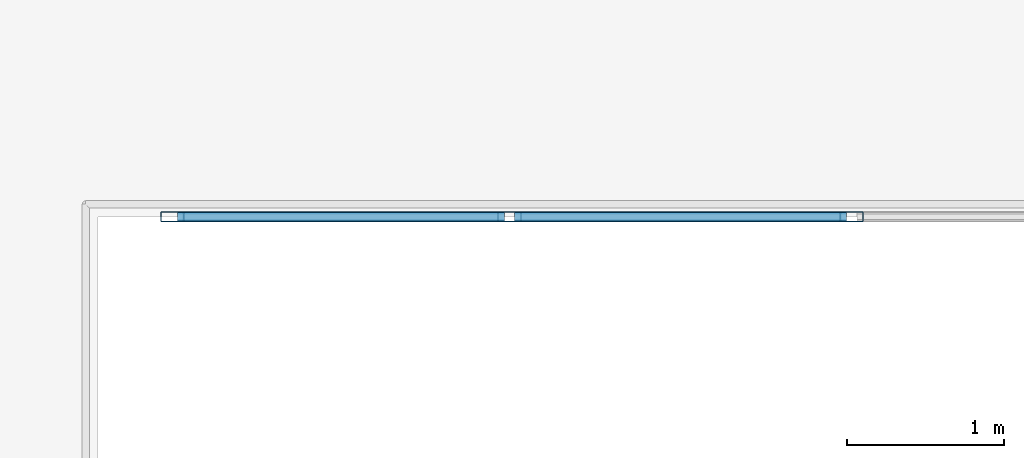
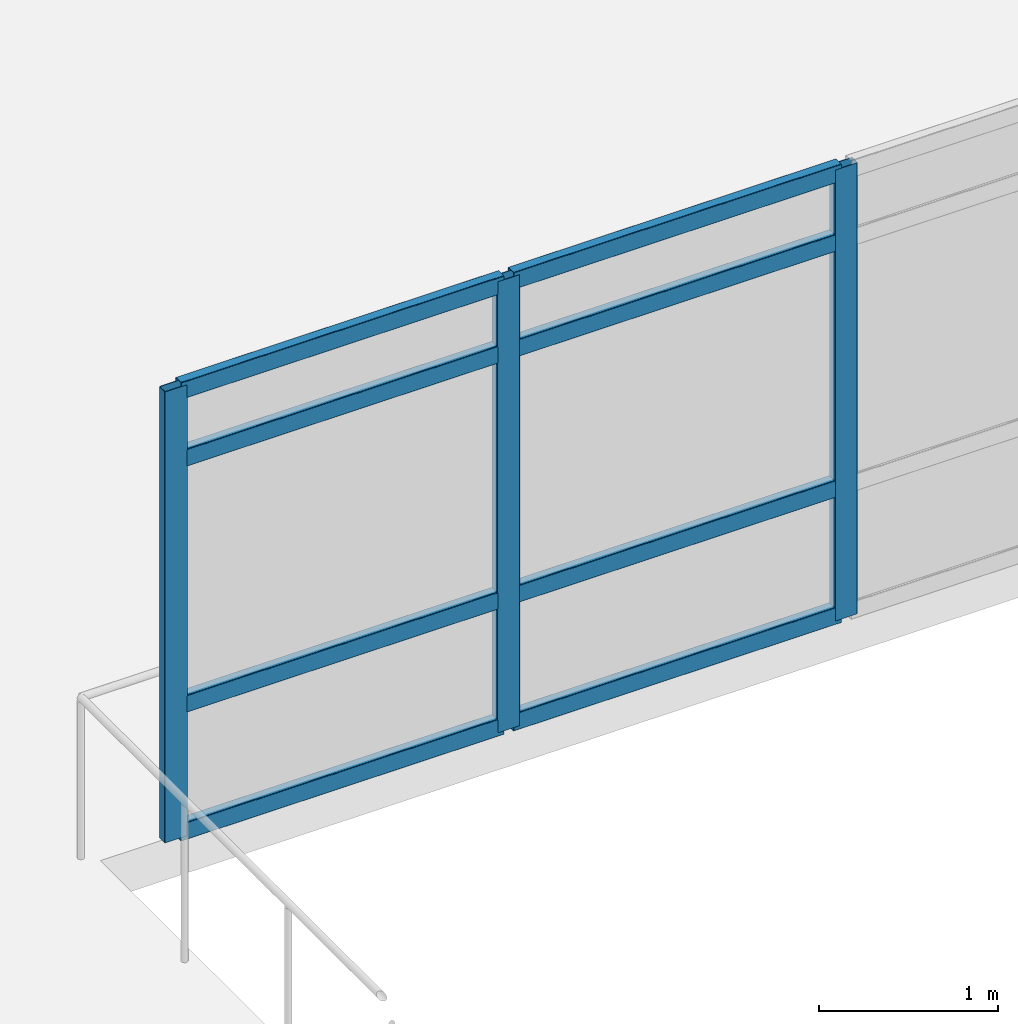
# One storey, part 44 of 134: 11 members, 1 element without a shape of its own.
"""IFC4 building model written with IfcOpenShell, lengths in metres."""

from ifc_helpers import new_model, si_unit, direction, frame, origin, origin_2d, place, context, subcontext, project, spatial, hollow_rectangle, extrude, material, layer, layer_set, material_profile, profile_set, type_object, element, aggregate, save


model = new_model("IFC4")

# Units and contexts
model_context = context("Model", 3, precision=1e-05, world=origin(), true_north=direction((0.0, 1.0)))
body_context = subcontext(model_context, "Body", "Model", "MODEL_VIEW")
ifc_project = project(units=[si_unit("LENGTHUNIT", "METRE"), si_unit("AREAUNIT", "SQUARE_METRE"), si_unit("VOLUMEUNIT", "CUBIC_METRE"), si_unit("PLANEANGLEUNIT", "RADIAN"), si_unit("MASSUNIT", "GRAM", prefix="KILO")], contexts=[model_context])

# Site, building, storey
site_placement = place(None, origin())
site = spatial("IfcSite", under=ifc_project, at=site_placement, CompositionType="ELEMENT")
building_placement = place(site_placement, origin())
building = spatial("IfcBuilding", under=site, at=building_placement, Name="Asteropetra Specialist Clinic", CompositionType="ELEMENT")
storey_placement = place(building_placement, frame((0.0, 0.0, 8.5)))
storey = spatial("IfcBuildingStorey", under=building, at=storey_placement, Name="L02", CompositionType="ELEMENT", Elevation=8.5)

# Curtain wall, members
ifc_material_1 = material(Name="Aluminium and low-E glass", Category="aluminium")
ifc_layer = layer(ifc_material_1, 0.135009765625)
ifc_layer_set = layer_set([ifc_layer], Name="Aluminium and low-E glass")
curtain_wall_type = type_object("IfcCurtainWallType", Name="CW-SYS-03", PredefinedType="USERDEFINED", material=ifc_layer_set)
curtain_wall_placement = place(storey_placement, origin())
curtain_wall = element("IfcCurtainWall", 1, at=curtain_wall_placement, inside=storey, type_object=curtain_wall_type, Name="Curtain Wall CW-034", ObjectType="UNITISED CURTAIN WALL", PredefinedType="USERDEFINED")
ifc_material_2 = material(Name="Aluminium 6063-T6", Category="aluminium")
ifc_material_profile_1 = material_profile(ifc_material_2, hollow_rectangle(XDim=0.06494140625, YDim=0.14990234375, WallThickness=0.00390625, InnerFilletRadius=0.00390625, OuterFilletRadius=0.008056640625, at=origin_2d()), Name="MUL 150x65x4.0")
ifc_profile_set_1 = profile_set([ifc_material_profile_1], Name="Aluminium 6063-T6")
member_type_1 = type_object("IfcMemberType", Name="CWM-150x65", PredefinedType="MULLION", material=ifc_profile_set_1)
member_1_placement = place(storey_placement, frame((14.39990234375, 95.199951171875, 0.0), z_axis=(0.0, 0.0, 1.0), x_axis=(0.0, -1.0, 0.0)))
member_1 = element("IfcMember", 2, at=member_1_placement, type_object=member_type_1, Name="CW-034 mullion 3", PredefinedType="MULLION", context=body_context, shape_type="SweptSolid", body=[
    extrude(hollow_rectangle(XDim=0.06494140625, YDim=0.14990234375, WallThickness=0.00390625, InnerFilletRadius=0.00390625, OuterFilletRadius=0.008056640625, at=origin_2d()), origin(), (0.0, 0.0, 1.0), 3.080078125),
])
member_2_placement = place(storey_placement, frame((12.219970703125, 95.199951171875, 0.0), z_axis=(0.0, 0.0, 1.0), x_axis=(0.0, -1.0, 0.0)))
member_2 = element("IfcMember", 3, at=member_2_placement, type_object=member_type_1, Name="CW-034 mullion 4", PredefinedType="MULLION", context=body_context, shape_type="SweptSolid", body=[
    extrude(hollow_rectangle(XDim=0.06494140625, YDim=0.14990234375, WallThickness=0.00390625, InnerFilletRadius=0.00390625, OuterFilletRadius=0.008056640625, at=origin_2d()), origin(), (0.0, 0.0, 1.0), 3.080078125),
])
member_3_placement = place(storey_placement, frame((10.072509765625, 95.199951171875, 0.0), z_axis=(0.0, 0.0, 1.0), x_axis=(0.0, -1.0, 0.0)))
member_3 = element("IfcMember", 4, at=member_3_placement, type_object=member_type_1, Name="CW-034 mullion 5", PredefinedType="MULLION", context=body_context, shape_type="SweptSolid", body=[
    extrude(hollow_rectangle(XDim=0.06494140625, YDim=0.14990234375, WallThickness=0.00390625, InnerFilletRadius=0.00390625, OuterFilletRadius=0.008056640625, at=origin_2d()), origin(), (0.0, 0.0, 1.0), 3.080078125),
])
ifc_material_3 = material(Name="Aluminium 6063-T6", Category="aluminium")
ifc_material_profile_2 = material_profile(ifc_material_3, hollow_rectangle(XDim=0.06494140625, YDim=0.1201171875, WallThickness=0.00390625, InnerFilletRadius=0.00390625, OuterFilletRadius=0.008056640625, at=origin_2d()), Name="TRN 120x65x4.0")
ifc_profile_set_2 = profile_set([ifc_material_profile_2], Name="Aluminium 6063-T6")
member_type_2 = type_object("IfcMemberType", Name="CWT-120x65", PredefinedType="USERDEFINED", material=ifc_profile_set_2)
member_4_placement = place(storey_placement, frame((14.367431640625, 95.199951171875, 0.032470703125), z_axis=(-1.0, 0.0, 0.0), x_axis=(0.0, -1.0, 0.0)))
member_4 = element("IfcMember", 5, at=member_4_placement, type_object=member_type_2, Name="CW-034 transom 3.1", ObjectType="TRANSOM", PredefinedType="USERDEFINED", context=body_context, shape_type="SweptSolid", body=[
    extrude(hollow_rectangle(XDim=0.06494140625, YDim=0.1201171875, WallThickness=0.00390625, InnerFilletRadius=0.00390625, OuterFilletRadius=0.008056640625, at=origin_2d()), origin(), (0.0, 0.0, 1.0), 2.114990234375),
])
member_5_placement = place(storey_placement, frame((14.367431640625, 95.199951171875, 0.89990234375), z_axis=(-1.0, 0.0, 0.0), x_axis=(0.0, -1.0, 0.0)))
member_5 = element("IfcMember", 6, at=member_5_placement, type_object=member_type_2, Name="CW-034 transom 3.2", ObjectType="TRANSOM", PredefinedType="USERDEFINED", context=body_context, shape_type="SweptSolid", body=[
    extrude(hollow_rectangle(XDim=0.06494140625, YDim=0.1201171875, WallThickness=0.00390625, InnerFilletRadius=0.00390625, OuterFilletRadius=0.008056640625, at=origin_2d()), origin(), (0.0, 0.0, 1.0), 2.114990234375),
])
member_6_placement = place(storey_placement, frame((14.367431640625, 95.199951171875, 2.580078125), z_axis=(-1.0, 0.0, 0.0), x_axis=(0.0, -1.0, 0.0)))
member_6 = element("IfcMember", 7, at=member_6_placement, type_object=member_type_2, Name="CW-034 transom 3.3", ObjectType="TRANSOM", PredefinedType="USERDEFINED", context=body_context, shape_type="SweptSolid", body=[
    extrude(hollow_rectangle(XDim=0.06494140625, YDim=0.1201171875, WallThickness=0.00390625, InnerFilletRadius=0.00390625, OuterFilletRadius=0.008056640625, at=origin_2d()), origin(), (0.0, 0.0, 1.0), 2.114990234375),
])
member_7_placement = place(storey_placement, frame((14.367431640625, 95.199951171875, 3.047607421875), z_axis=(-1.0, 0.0, 0.0), x_axis=(0.0, -1.0, 0.0)))
member_7 = element("IfcMember", 8, at=member_7_placement, type_object=member_type_2, Name="CW-034 transom 3.4", ObjectType="TRANSOM", PredefinedType="USERDEFINED", context=body_context, shape_type="SweptSolid", body=[
    extrude(hollow_rectangle(XDim=0.06494140625, YDim=0.1201171875, WallThickness=0.00390625, InnerFilletRadius=0.00390625, OuterFilletRadius=0.008056640625, at=origin_2d()), origin(), (0.0, 0.0, 1.0), 2.114990234375),
])
member_8_placement = place(storey_placement, frame((12.1875, 95.199951171875, 0.032470703125), z_axis=(-1.0, 0.0, 0.0), x_axis=(0.0, -1.0, 0.0)))
member_8 = element("IfcMember", 9, at=member_8_placement, type_object=member_type_2, Name="CW-034 transom 4.1", ObjectType="TRANSOM", PredefinedType="USERDEFINED", context=body_context, shape_type="SweptSolid", body=[
    extrude(hollow_rectangle(XDim=0.06494140625, YDim=0.1201171875, WallThickness=0.00390625, InnerFilletRadius=0.00390625, OuterFilletRadius=0.008056640625, at=origin_2d()), origin(), (0.0, 0.0, 1.0), 2.08251953125),
])
member_9_placement = place(storey_placement, frame((12.1875, 95.199951171875, 0.89990234375), z_axis=(-1.0, 0.0, 0.0), x_axis=(0.0, -1.0, 0.0)))
member_9 = element("IfcMember", 10, at=member_9_placement, type_object=member_type_2, Name="CW-034 transom 4.2", ObjectType="TRANSOM", PredefinedType="USERDEFINED", context=body_context, shape_type="SweptSolid", body=[
    extrude(hollow_rectangle(XDim=0.06494140625, YDim=0.1201171875, WallThickness=0.00390625, InnerFilletRadius=0.00390625, OuterFilletRadius=0.008056640625, at=origin_2d()), origin(), (0.0, 0.0, 1.0), 2.08251953125),
])
member_10_placement = place(storey_placement, frame((12.1875, 95.199951171875, 2.580078125), z_axis=(-1.0, 0.0, 0.0), x_axis=(0.0, -1.0, 0.0)))
member_10 = element("IfcMember", 11, at=member_10_placement, type_object=member_type_2, Name="CW-034 transom 4.3", ObjectType="TRANSOM", PredefinedType="USERDEFINED", context=body_context, shape_type="SweptSolid", body=[
    extrude(hollow_rectangle(XDim=0.06494140625, YDim=0.1201171875, WallThickness=0.00390625, InnerFilletRadius=0.00390625, OuterFilletRadius=0.008056640625, at=origin_2d()), origin(), (0.0, 0.0, 1.0), 2.08251953125),
])
member_11_placement = place(storey_placement, frame((12.1875, 95.199951171875, 3.047607421875), z_axis=(-1.0, 0.0, 0.0), x_axis=(0.0, -1.0, 0.0)))
member_11 = element("IfcMember", 12, at=member_11_placement, type_object=member_type_2, Name="CW-034 transom 4.4", ObjectType="TRANSOM", PredefinedType="USERDEFINED", context=body_context, shape_type="SweptSolid", body=[
    extrude(hollow_rectangle(XDim=0.06494140625, YDim=0.1201171875, WallThickness=0.00390625, InnerFilletRadius=0.00390625, OuterFilletRadius=0.008056640625, at=origin_2d()), origin(), (0.0, 0.0, 1.0), 2.08251953125),
])
aggregate(curtain_wall, [member_1, member_2, member_3, member_4, member_5, member_6, member_7, member_8, member_9, member_10, member_11])

save(model, "model.ifc")
